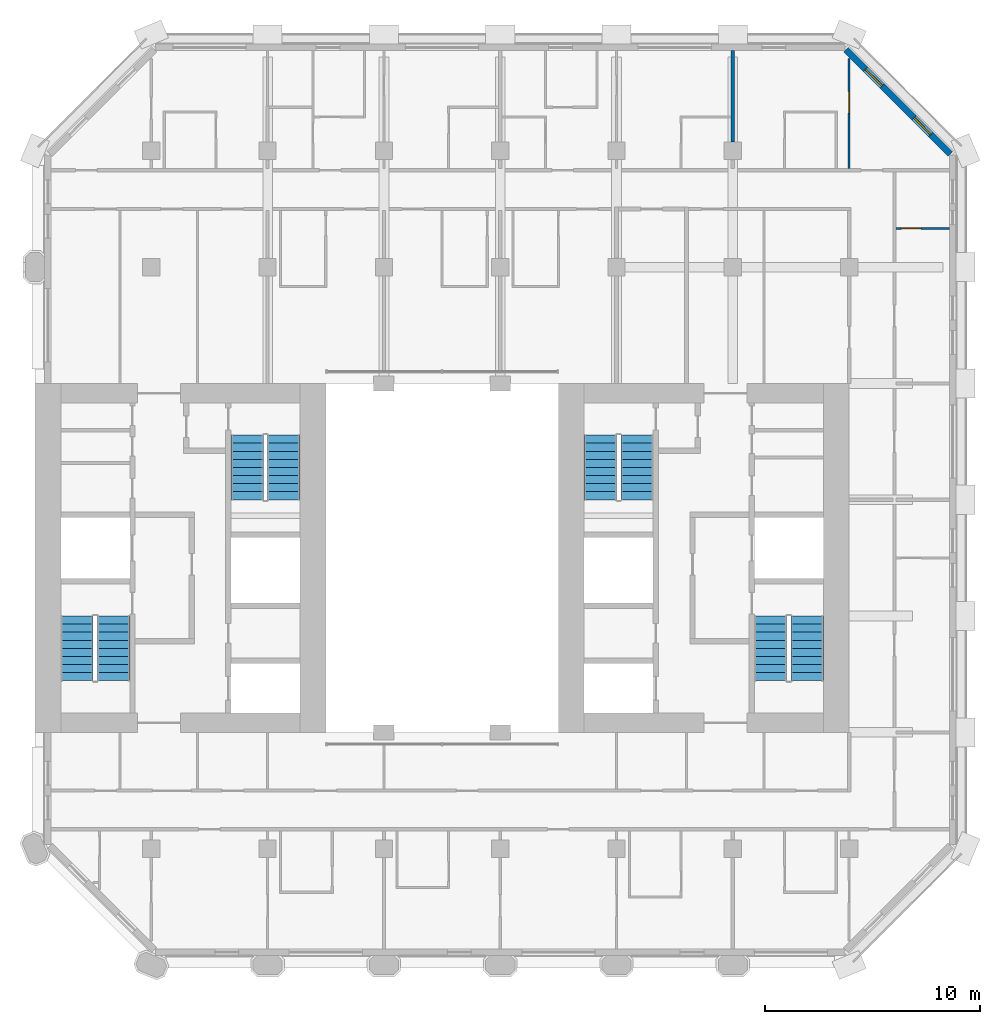
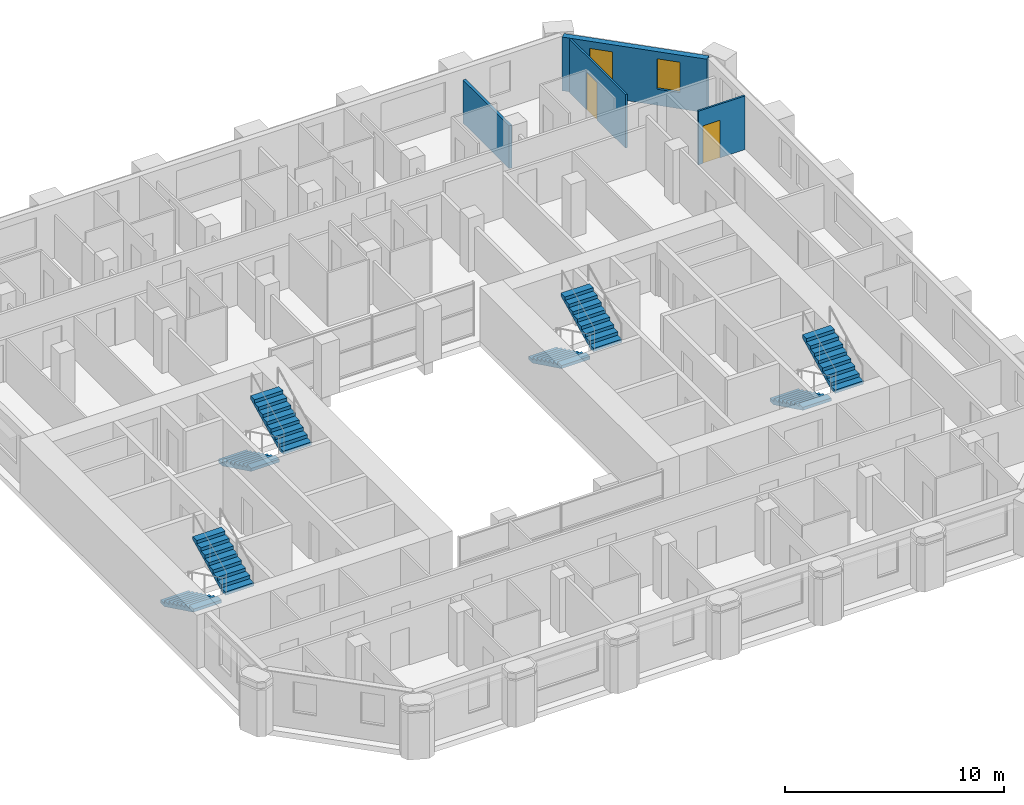
# One storey, part 10 of 13: 8 stair flights, 4 walls, 2 doors, 2 windows, 4 openings, 4 elements without a shape of their own.
"""IFC4 building model written with IfcOpenShell, lengths in metres."""

from ifc_helpers import new_model, si_unit, direction, frame, frame_2d, origin, place, context, subcontext, project, spatial, polyline, rectangle, outline, extrude, material, layer, layer_set, type_object, element, fill, aggregate, save


model = new_model("IFC4")

# Units and contexts
model_context = context("Model", 3, precision=1e-05, world=origin(), true_north=direction((0.0, 1.0)))
body_context = subcontext(model_context, "Body", "Model", "MODEL_VIEW")
ifc_project = project(units=[si_unit("LENGTHUNIT", "METRE"), si_unit("AREAUNIT", "SQUARE_METRE"), si_unit("VOLUMEUNIT", "CUBIC_METRE"), si_unit("PLANEANGLEUNIT", "RADIAN"), si_unit("MASSUNIT", "GRAM", prefix="KILO")], contexts=[model_context])

# Site, building, storey
site_placement = place(None, origin())
site = spatial("IfcSite", under=ifc_project, at=site_placement, CompositionType="ELEMENT")
building_placement = place(site_placement, origin())
building = spatial("IfcBuilding", under=site, at=building_placement, Name="Tabaq Tower and Sports Hall", CompositionType="ELEMENT")
storey_placement = place(building_placement, frame((0.0, 0.0, 203.800048828125)))
storey = spatial("IfcBuildingStorey", under=building, at=storey_placement, Name="L50", CompositionType="ELEMENT", Elevation=203.800048828125)

# Wall, opening, door
ifc_material_1 = material(Name="Gypsum board on steel studs", Category="steel")
ifc_layer_1 = layer(ifc_material_1, 0.10009765625)
ifc_layer_set_1 = layer_set([ifc_layer_1], Name="Partition 100 Gypsum board")
wall_type_1 = type_object("IfcWallType", Name="Partition 100 Gypsum board", PredefinedType="PARTITIONING", material=ifc_layer_set_1)
wall_1_placement = place(storey_placement, frame((47.84912109375, 39.60009765625, 0.0), z_axis=(0.0, 0.0, 1.0), x_axis=(-1.0, 0.0, 0.0)))
wall_1 = element("IfcWall", 1, at=wall_1_placement, inside=storey, type_object=wall_type_1, Name="Partition wall L50", PredefinedType="PARTITIONING", context=body_context, shape_type="SweptSolid", body=[
    extrude(rectangle(XDim=2.47412109375, YDim=0.10009765625, at=frame_2d((1.237060546875, 0.0))), origin(), (0.0, 0.0, 1.0), 3.0),
])
opening_1_placement = place(wall_1_placement, frame((1.323974609375, 0.0, 0.0)))
opening_1 = element("IfcOpeningElement", 2, at=opening_1_placement, cuts=wall_1, Name="Opening L50-004", PredefinedType="OPENING", context=body_context, shape_type="SweptSolid", body=[
    extrude(rectangle(XDim=0.89990234375, YDim=2.10009765625, at=frame_2d((0.449951171875, 1.050048828125))), frame((0.0, 0.050048828125, 0.0), z_axis=(0.0, -1.0, 0.0), x_axis=(1.0, 0.0, 0.0)), (0.0, 0.0, 1.0), 0.10009765625),
])
ifc_material_2 = material(Name="Timber leaf in steel frame", Category="steel")
door_type_1 = type_object("IfcDoorType", Name="Internal door 900 right hand", OperationType="SINGLE_SWING_RIGHT", PredefinedType="DOOR", material=ifc_material_2)
door_1_placement = place(opening_1_placement, origin())
door_1 = element("IfcDoor", 3, at=door_1_placement, inside=storey, type_object=door_type_1, Name="Internal door L50-004", OperationType="SINGLE_SWING_RIGHT", OverallHeight=2.10009765625, OverallWidth=0.89990234375, PredefinedType="DOOR", context=body_context, shape_type="SweptSolid", body=[
    extrude(rectangle(XDim=0.89990234375, YDim=2.10009765625, at=frame_2d((0.449951171875, 1.050048828125))), frame((0.0, 0.02490234375, 0.0), z_axis=(0.0, -1.0, 0.0), x_axis=(1.0, 0.0, 0.0)), (0.0, 0.0, 1.0), 0.050048828125),
])
fill(opening_1, door_1)

wall_2_placement = place(storey_placement, frame((43.199951171875, 42.375, 0.0), z_axis=(0.0, 0.0, 1.0), x_axis=(0.0, 1.0, 0.0)))
wall_2 = element("IfcWall", 4, at=wall_2_placement, inside=storey, type_object=wall_type_1, Name="Partition wall L50", PredefinedType="PARTITIONING", context=body_context, shape_type="SweptSolid", body=[
    extrude(rectangle(XDim=5.11279296875, YDim=0.10009765625, at=frame_2d((2.556396484375, 0.0))), origin(), (0.0, 0.0, 1.0), 3.0),
])
opening_2_placement = place(wall_2_placement, frame((2.574951171875, 0.0, 0.0)))
opening_2 = element("IfcOpeningElement", 5, at=opening_2_placement, cuts=wall_2, Name="Opening L50-039", PredefinedType="OPENING", context=body_context, shape_type="SweptSolid", body=[
    extrude(rectangle(XDim=1.0, YDim=2.10009765625, at=frame_2d((0.5, 1.050048828125))), frame((0.0, 0.050048828125, 0.0), z_axis=(0.0, -1.0, 0.0), x_axis=(1.0, 0.0, 0.0)), (0.0, 0.0, 1.0), 0.10009765625),
])
ifc_material_3 = material(Name="Timber leaf in steel frame", Category="steel")
door_type_2 = type_object("IfcDoorType", Name="Internal door 1000 right hand", OperationType="SINGLE_SWING_RIGHT", PredefinedType="DOOR", material=ifc_material_3)
door_2_placement = place(opening_2_placement, origin())
door_2 = element("IfcDoor", 6, at=door_2_placement, inside=storey, type_object=door_type_2, Name="Internal door L50-039", OperationType="SINGLE_SWING_RIGHT", OverallHeight=2.10009765625, OverallWidth=1.0, PredefinedType="DOOR", context=body_context, shape_type="SweptSolid", body=[
    extrude(rectangle(XDim=1.0, YDim=2.10009765625, at=frame_2d((0.5, 1.050048828125))), frame((0.0, 0.02490234375, 0.0), z_axis=(0.0, -1.0, 0.0), x_axis=(1.0, 0.0, 0.0)), (0.0, 0.0, 1.0), 0.050048828125),
])
fill(opening_2, door_2)

# Wall
ifc_material_4 = material(Name="Blockwork", Category="masonry")
ifc_layer_2 = layer(ifc_material_4, 0.14990234375)
ifc_layer_set_2 = layer_set([ifc_layer_2], Name="Separating wall 150 Blockwork")
wall_type_2 = type_object("IfcWallType", Name="Separating wall 150 Blockwork", PredefinedType="PARTITIONING", material=ifc_layer_set_2)
wall_3_placement = place(storey_placement, frame((37.800048828125, 43.6201171875, 0.0), z_axis=(0.0, 0.0, 1.0), x_axis=(0.0, 1.0, 0.0)))
element("IfcWall", 7, at=wall_3_placement, inside=storey, type_object=wall_type_2, Name="Separating wall L50", PredefinedType="PARTITIONING", context=body_context, shape_type="SweptSolid", body=[
    extrude(rectangle(XDim=4.22900390625, YDim=0.14990234375, at=frame_2d((2.114501953125, 0.0))), origin(), (0.0, 0.0, 1.0), 2.39990234375),
])

# Wall, openings, windows
ifc_material_5 = material(Name="White precast concrete C60/75", Category="concrete")
ifc_layer_3 = layer(ifc_material_5, 0.300048828125)
ifc_layer_set_3 = layer_set([ifc_layer_3], Name="White precast concrete C60/75 external wall 300")
wall_type_3 = type_object("IfcWallType", Name="White precast concrete C60/75 external wall 300", PredefinedType="SOLIDWALL", material=ifc_layer_set_3)
wall_4_placement = place(storey_placement, frame((47.901123046875, 43.050537109375, 0.0), z_axis=(0.0, 0.0, 1.0), x_axis=(-0.707106781187, 0.707106781187, 0.0)))
wall_4 = element("IfcWall", 8, at=wall_4_placement, inside=storey, type_object=wall_type_3, Name="External Wall L50 NE", PredefinedType="SOLIDWALL", context=body_context, shape_type="SweptSolid", body=[
    extrude(rectangle(XDim=6.85986328125, YDim=0.300048828125, at=frame_2d((3.429931640625, 0.0))), origin(), (0.0, 0.0, 1.0), 3.0),
])
opening_3_placement = place(wall_4_placement, frame((1.27978515625, 0.0, 0.89990234375)))
opening_3 = element("IfcOpeningElement", 9, at=opening_3_placement, cuts=wall_4, Name="Opening W1B", PredefinedType="OPENING", context=body_context, shape_type="SweptSolid", body=[
    extrude(rectangle(XDim=1.10009765625, YDim=1.699951171875, at=frame_2d((0.550048828125, 0.85009765625))), frame((0.0, 0.16015625, 0.0), z_axis=(0.0, -1.0, 0.0), x_axis=(1.0, 0.0, 0.0)), (0.0, 0.0, 1.0), 0.320068359375),
])
opening_4_placement = place(wall_4_placement, frame((4.479736328125, 0.0, 0.89990234375)))
opening_4 = element("IfcOpeningElement", 10, at=opening_4_placement, cuts=wall_4, Name="Opening W1B", PredefinedType="OPENING", context=body_context, shape_type="SweptSolid", body=[
    extrude(rectangle(XDim=1.10009765625, YDim=1.699951171875, at=frame_2d((0.550048828125, 0.85009765625))), frame((0.0, 0.16015625, 0.0), z_axis=(0.0, -1.0, 0.0), x_axis=(1.0, 0.0, 0.0)), (0.0, 0.0, 1.0), 0.320068359375),
])
ifc_material_6 = material(Name="Aluminium framed clear glazing", Category="aluminium")
window_type = type_object("IfcWindowType", Name="Window W1B", PartitioningType="SINGLE_PANEL", PredefinedType="WINDOW", material=ifc_material_6)
window_1_placement = place(opening_3_placement, origin())
window_1 = element("IfcWindow", 11, at=window_1_placement, inside=storey, type_object=window_type, Name="Window W1B L50", OverallHeight=1.699951171875, OverallWidth=1.10009765625, PartitioningType="SINGLE_PANEL", PredefinedType="WINDOW", context=body_context, shape_type="SweptSolid", body=[
    extrude(rectangle(XDim=1.10009765625, YDim=1.699951171875, at=frame_2d((0.550048828125, 0.85009765625))), frame((0.0, 0.030029296875, 0.0), z_axis=(0.0, -1.0, 0.0), x_axis=(1.0, 0.0, 0.0)), (0.0, 0.0, 1.0), 0.06005859375),
])
fill(opening_3, window_1)
window_2_placement = place(opening_4_placement, origin())
window_2 = element("IfcWindow", 12, at=window_2_placement, inside=storey, type_object=window_type, Name="Window W1B L50", OverallHeight=1.699951171875, OverallWidth=1.10009765625, PartitioningType="SINGLE_PANEL", PredefinedType="WINDOW", context=body_context, shape_type="SweptSolid", body=[
    extrude(rectangle(XDim=1.10009765625, YDim=1.699951171875, at=frame_2d((0.550048828125, 0.85009765625))), frame((0.0, 0.030029296875, 0.0), z_axis=(0.0, -1.0, 0.0), x_axis=(1.0, 0.0, 0.0)), (0.0, 0.0, 1.0), 0.06005859375),
])
fill(opening_4, window_2)

# Stair, stair flights
ifc_material_7 = material(Name="Concrete C40/50", Category="concrete")
stair_type = type_object("IfcStairType", Name="Exit stair", PredefinedType="HALF_TURN_STAIR", material=ifc_material_7)
stair_1_placement = place(storey_placement, origin())
stair_1 = element("IfcStair", 13, at=stair_1_placement, inside=storey, type_object=stair_type, Name="L50 Exit stair ST1", PredefinedType="HALF_TURN_STAIR")
ifc_material_8 = material(Name="Concrete C40/50", Category="concrete")
stair_flight_type = type_object("IfcStairFlightType", Name="Exit stair flight", PredefinedType="STRAIGHT", material=ifc_material_8)
stair_flight_1_placement = place(storey_placement, frame((7.35009765625, 21.60009765625, 0.0), z_axis=(0.0, 0.0, 1.0), x_axis=(0.0, -1.0, 0.0)))
stair_flight_1 = element("IfcStairFlight", 14, at=stair_flight_1_placement, type_object=stair_flight_type, Name="ST1 flight 1", NumberOfRisers=9, NumberOfTreads=8, PredefinedType="STRAIGHT", RiserHeight=0.183333333, TreadLength=0.375, context=body_context, shape_type="SweptSolid", body=[
    extrude(outline(polyline([(0.0, 0.0), (0.0, 0.183349609375), (0.375, 0.183349609375), (0.375, 0.36669921875), (0.75, 0.36669921875), (0.75, 0.550048828125), (1.125, 0.550048828125), (1.125, 0.7333984375), (1.5, 0.7333984375), (1.5, 0.916748046875), (1.875, 0.916748046875), (1.875, 1.10009765625), (2.25, 1.10009765625), (2.25, 1.283447265625), (2.625, 1.283447265625), (2.625, 1.466552734375), (3.0, 1.466552734375), (3.0, 1.64990234375), (3.0, 1.2998046875), (0.34130859375, 0.0), (0.0, 0.0)])), frame((0.0, 0.75, 0.0), z_axis=(0.0, -1.0, 0.0), x_axis=(1.0, 0.0, 0.0)), (0.0, 0.0, 1.0), 1.5),
])
stair_flight_2_placement = place(storey_placement, frame((9.050048828125, 18.60009765625, 1.64990234375), z_axis=(0.0, 0.0, 1.0), x_axis=(0.0, 1.0, 0.0)))
stair_flight_2 = element("IfcStairFlight", 15, at=stair_flight_2_placement, type_object=stair_flight_type, Name="ST1 flight 2", NumberOfRisers=9, NumberOfTreads=8, PredefinedType="STRAIGHT", RiserHeight=0.183333333, TreadLength=0.375, context=body_context, shape_type="SweptSolid", body=[
    extrude(outline(polyline([(0.0, 0.0), (0.0, 0.183349609375), (0.375, 0.183349609375), (0.375, 0.36669921875), (0.75, 0.36669921875), (0.75, 0.550048828125), (1.125, 0.550048828125), (1.125, 0.7333984375), (1.5, 0.7333984375), (1.5, 0.916748046875), (1.875, 0.916748046875), (1.875, 1.10009765625), (2.25, 1.10009765625), (2.25, 1.283447265625), (2.625, 1.283447265625), (2.625, 1.466552734375), (3.0, 1.466552734375), (3.0, 1.64990234375), (3.0, 1.2998046875), (0.34130859375, 0.0), (0.0, 0.0)])), frame((0.0, 0.75, 0.0), z_axis=(0.0, -1.0, 0.0), x_axis=(1.0, 0.0, 0.0)), (0.0, 0.0, 1.0), 1.5),
])
aggregate(stair_1, [stair_flight_1, stair_flight_2])

stair_2_placement = place(storey_placement, origin())
stair_2 = element("IfcStair", 16, at=stair_2_placement, inside=storey, type_object=stair_type, Name="L50 Exit stair ST2", PredefinedType="HALF_TURN_STAIR")
stair_flight_3_placement = place(storey_placement, frame((15.25, 30.0, 0.0), z_axis=(0.0, 0.0, 1.0), x_axis=(0.0, -1.0, 0.0)))
stair_flight_3 = element("IfcStairFlight", 17, at=stair_flight_3_placement, type_object=stair_flight_type, Name="ST2 flight 1", NumberOfRisers=9, NumberOfTreads=8, PredefinedType="STRAIGHT", RiserHeight=0.183333333, TreadLength=0.375, context=body_context, shape_type="SweptSolid", body=[
    extrude(outline(polyline([(0.0, 0.0), (0.0, 0.183349609375), (0.375, 0.183349609375), (0.375, 0.36669921875), (0.75, 0.36669921875), (0.75, 0.550048828125), (1.125, 0.550048828125), (1.125, 0.7333984375), (1.5, 0.7333984375), (1.5, 0.916748046875), (1.875, 0.916748046875), (1.875, 1.10009765625), (2.25, 1.10009765625), (2.25, 1.283447265625), (2.625, 1.283447265625), (2.625, 1.466552734375), (3.0, 1.466552734375), (3.0, 1.64990234375), (3.0, 1.2998046875), (0.34130859375, 0.0), (0.0, 0.0)])), frame((0.0, 0.75, 0.0), z_axis=(0.0, -1.0, 0.0), x_axis=(1.0, 0.0, 0.0)), (0.0, 0.0, 1.0), 1.5),
])
stair_flight_4_placement = place(storey_placement, frame((16.949951171875, 27.0, 1.64990234375), z_axis=(0.0, 0.0, 1.0), x_axis=(0.0, 1.0, 0.0)))
stair_flight_4 = element("IfcStairFlight", 18, at=stair_flight_4_placement, type_object=stair_flight_type, Name="ST2 flight 2", NumberOfRisers=9, NumberOfTreads=8, PredefinedType="STRAIGHT", RiserHeight=0.183333333, TreadLength=0.375, context=body_context, shape_type="SweptSolid", body=[
    extrude(outline(polyline([(0.0, 0.0), (0.0, 0.183349609375), (0.375, 0.183349609375), (0.375, 0.36669921875), (0.75, 0.36669921875), (0.75, 0.550048828125), (1.125, 0.550048828125), (1.125, 0.7333984375), (1.5, 0.7333984375), (1.5, 0.916748046875), (1.875, 0.916748046875), (1.875, 1.10009765625), (2.25, 1.10009765625), (2.25, 1.283447265625), (2.625, 1.283447265625), (2.625, 1.466552734375), (3.0, 1.466552734375), (3.0, 1.64990234375), (3.0, 1.2998046875), (0.34130859375, 0.0), (0.0, 0.0)])), frame((0.0, 0.75, 0.0), z_axis=(0.0, -1.0, 0.0), x_axis=(1.0, 0.0, 0.0)), (0.0, 0.0, 1.0), 1.5),
])
aggregate(stair_2, [stair_flight_3, stair_flight_4])

stair_3_placement = place(storey_placement, origin())
stair_3 = element("IfcStair", 19, at=stair_3_placement, inside=storey, type_object=stair_type, Name="L50 Exit stair ST3", PredefinedType="HALF_TURN_STAIR")
stair_flight_5_placement = place(storey_placement, frame((39.550048828125, 21.60009765625, 0.0), z_axis=(0.0, 0.0, 1.0), x_axis=(0.0, -1.0, 0.0)))
stair_flight_5 = element("IfcStairFlight", 20, at=stair_flight_5_placement, type_object=stair_flight_type, Name="ST3 flight 1", NumberOfRisers=9, NumberOfTreads=8, PredefinedType="STRAIGHT", RiserHeight=0.183333333, TreadLength=0.375, context=body_context, shape_type="SweptSolid", body=[
    extrude(outline(polyline([(0.0, 0.0), (0.0, 0.183349609375), (0.375, 0.183349609375), (0.375, 0.36669921875), (0.75, 0.36669921875), (0.75, 0.550048828125), (1.125, 0.550048828125), (1.125, 0.7333984375), (1.5, 0.7333984375), (1.5, 0.916748046875), (1.875, 0.916748046875), (1.875, 1.10009765625), (2.25, 1.10009765625), (2.25, 1.283447265625), (2.625, 1.283447265625), (2.625, 1.466552734375), (3.0, 1.466552734375), (3.0, 1.64990234375), (3.0, 1.2998046875), (0.34130859375, 0.0), (0.0, 0.0)])), frame((0.0, 0.75, 0.0), z_axis=(0.0, -1.0, 0.0), x_axis=(1.0, 0.0, 0.0)), (0.0, 0.0, 1.0), 1.5),
])
stair_flight_6_placement = place(storey_placement, frame((41.25, 18.60009765625, 1.64990234375), z_axis=(0.0, 0.0, 1.0), x_axis=(0.0, 1.0, 0.0)))
stair_flight_6 = element("IfcStairFlight", 21, at=stair_flight_6_placement, type_object=stair_flight_type, Name="ST3 flight 2", NumberOfRisers=9, NumberOfTreads=8, PredefinedType="STRAIGHT", RiserHeight=0.183333333, TreadLength=0.375, context=body_context, shape_type="SweptSolid", body=[
    extrude(outline(polyline([(0.0, 0.0), (0.0, 0.183349609375), (0.375, 0.183349609375), (0.375, 0.36669921875), (0.75, 0.36669921875), (0.75, 0.550048828125), (1.125, 0.550048828125), (1.125, 0.7333984375), (1.5, 0.7333984375), (1.5, 0.916748046875), (1.875, 0.916748046875), (1.875, 1.10009765625), (2.25, 1.10009765625), (2.25, 1.283447265625), (2.625, 1.283447265625), (2.625, 1.466552734375), (3.0, 1.466552734375), (3.0, 1.64990234375), (3.0, 1.2998046875), (0.34130859375, 0.0), (0.0, 0.0)])), frame((0.0, 0.75, 0.0), z_axis=(0.0, -1.0, 0.0), x_axis=(1.0, 0.0, 0.0)), (0.0, 0.0, 1.0), 1.5),
])
aggregate(stair_3, [stair_flight_5, stair_flight_6])

stair_4_placement = place(storey_placement, origin())
stair_4 = element("IfcStair", 22, at=stair_4_placement, inside=storey, type_object=stair_type, Name="L50 Exit stair ST4", PredefinedType="HALF_TURN_STAIR")
stair_flight_7_placement = place(storey_placement, frame((31.64990234375, 30.0, 0.0), z_axis=(0.0, 0.0, 1.0), x_axis=(0.0, -1.0, 0.0)))
stair_flight_7 = element("IfcStairFlight", 23, at=stair_flight_7_placement, type_object=stair_flight_type, Name="ST4 flight 1", NumberOfRisers=9, NumberOfTreads=8, PredefinedType="STRAIGHT", RiserHeight=0.183333333, TreadLength=0.375, context=body_context, shape_type="SweptSolid", body=[
    extrude(outline(polyline([(0.0, 0.0), (0.0, 0.183349609375), (0.375, 0.183349609375), (0.375, 0.36669921875), (0.75, 0.36669921875), (0.75, 0.550048828125), (1.125, 0.550048828125), (1.125, 0.7333984375), (1.5, 0.7333984375), (1.5, 0.916748046875), (1.875, 0.916748046875), (1.875, 1.10009765625), (2.25, 1.10009765625), (2.25, 1.283447265625), (2.625, 1.283447265625), (2.625, 1.466552734375), (3.0, 1.466552734375), (3.0, 1.64990234375), (3.0, 1.2998046875), (0.34130859375, 0.0), (0.0, 0.0)])), frame((0.0, 0.75, 0.0), z_axis=(0.0, -1.0, 0.0), x_axis=(1.0, 0.0, 0.0)), (0.0, 0.0, 1.0), 1.5),
])
stair_flight_8_placement = place(storey_placement, frame((33.35009765625, 27.0, 1.64990234375), z_axis=(0.0, 0.0, 1.0), x_axis=(0.0, 1.0, 0.0)))
stair_flight_8 = element("IfcStairFlight", 24, at=stair_flight_8_placement, type_object=stair_flight_type, Name="ST4 flight 2", NumberOfRisers=9, NumberOfTreads=8, PredefinedType="STRAIGHT", RiserHeight=0.183333333, TreadLength=0.375, context=body_context, shape_type="SweptSolid", body=[
    extrude(outline(polyline([(0.0, 0.0), (0.0, 0.183349609375), (0.375, 0.183349609375), (0.375, 0.36669921875), (0.75, 0.36669921875), (0.75, 0.550048828125), (1.125, 0.550048828125), (1.125, 0.7333984375), (1.5, 0.7333984375), (1.5, 0.916748046875), (1.875, 0.916748046875), (1.875, 1.10009765625), (2.25, 1.10009765625), (2.25, 1.283447265625), (2.625, 1.283447265625), (2.625, 1.466552734375), (3.0, 1.466552734375), (3.0, 1.64990234375), (3.0, 1.2998046875), (0.34130859375, 0.0), (0.0, 0.0)])), frame((0.0, 0.75, 0.0), z_axis=(0.0, -1.0, 0.0), x_axis=(1.0, 0.0, 0.0)), (0.0, 0.0, 1.0), 1.5),
])
aggregate(stair_4, [stair_flight_7, stair_flight_8])

save(model, "model.ifc")
